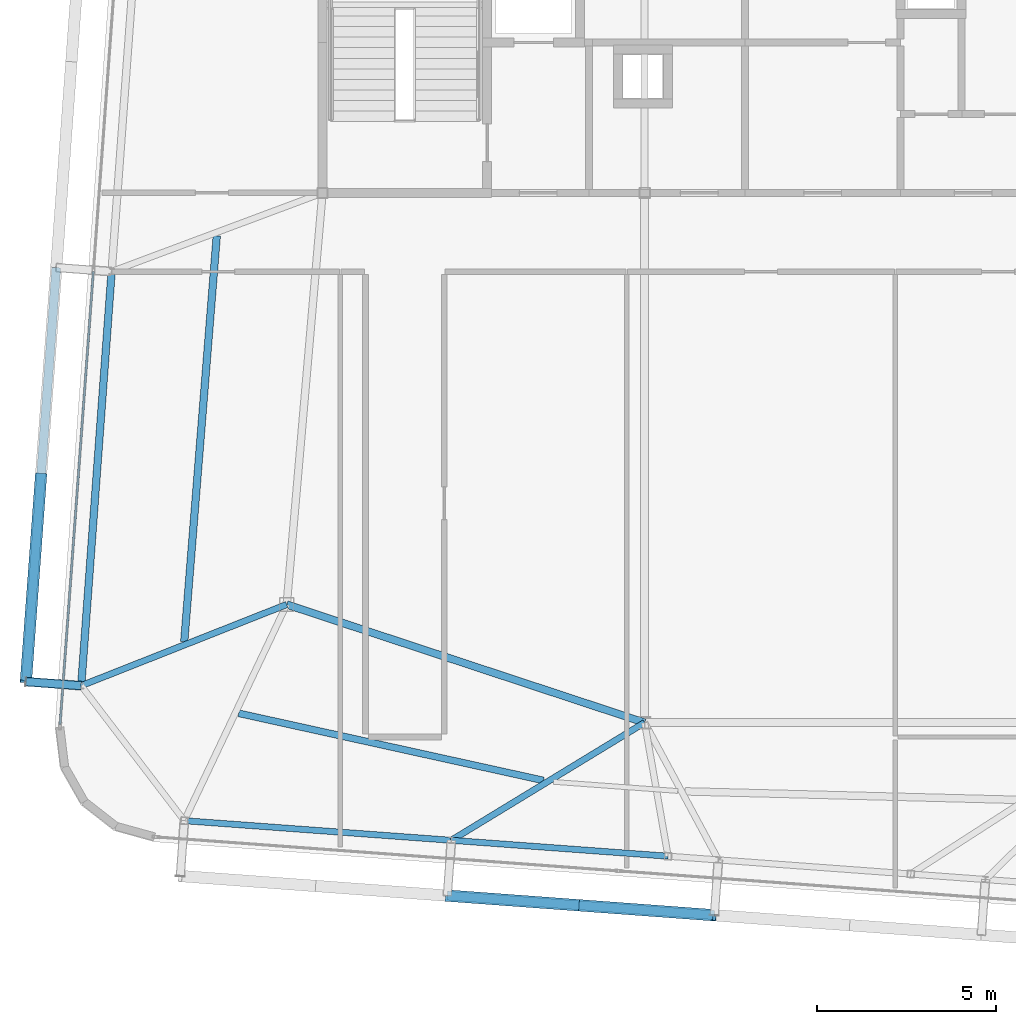
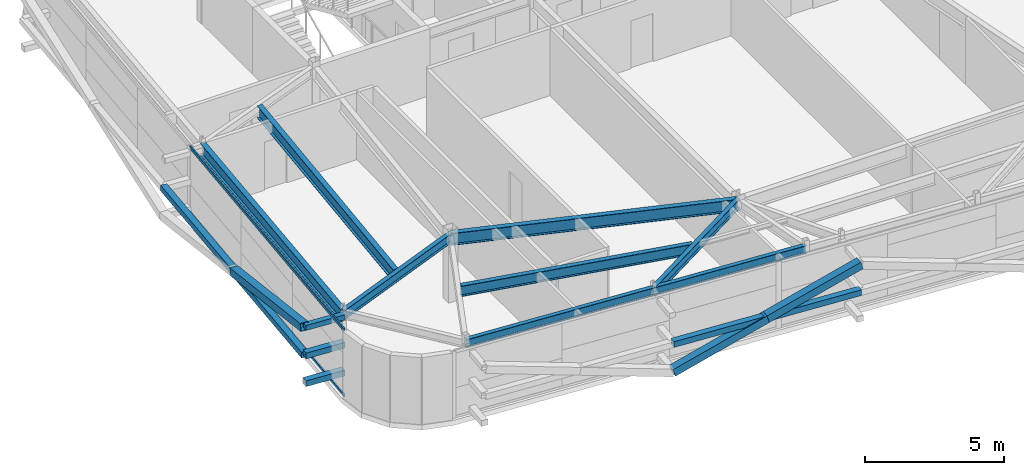
# One storey, part 10 of 34: 10 members, 8 beams, 1 element without a shape of its own.
"""IFC4 building model written with IfcOpenShell, lengths in metres."""

from ifc_helpers import new_model, si_unit, direction, frame, origin, origin_2d, place, context, subcontext, project, spatial, hollow_rectangle, i_section, extrude, source, transform, mapped, material, layer, layer_set, material_profile, profile_set, type_object, element, aggregate, save


model = new_model("IFC4")

# Units and contexts
model_context = context("Model", 3, precision=1e-05, world=origin(), true_north=direction((0.0, 1.0)))
body_context = subcontext(model_context, "Body", "Model", "MODEL_VIEW")
ifc_project = project(units=[si_unit("LENGTHUNIT", "METRE"), si_unit("AREAUNIT", "SQUARE_METRE"), si_unit("VOLUMEUNIT", "CUBIC_METRE"), si_unit("PLANEANGLEUNIT", "RADIAN"), si_unit("MASSUNIT", "GRAM", prefix="KILO")], contexts=[model_context])

# Site, building, storey
site_placement = place(None, origin())
site = spatial("IfcSite", under=ifc_project, at=site_placement, CompositionType="ELEMENT")
building_placement = place(site_placement, origin())
building = spatial("IfcBuilding", under=site, at=building_placement, Name="Taldren Reach Tower", CompositionType="ELEMENT")
storey_placement = place(building_placement, frame((0.0, 0.0, 246.050048828125)))
storey = spatial("IfcBuildingStorey", under=building, at=storey_placement, Name="L75", CompositionType="ELEMENT", Elevation=246.050048828125)

# Beams
ifc_material_1 = material(Name="Steel Gr 350 (350PLUS)", Category="steel")
ifc_material_profile_1 = material_profile(ifc_material_1, i_section(OverallWidth=0.208984375, OverallDepth=0.532958984375, WebThickness=0.01025390625, FlangeThickness=0.015625, at=origin_2d()), Name="530UB92.4")
ifc_profile_set_1 = profile_set([ifc_material_profile_1], Name="Steel Gr 350 (350PLUS)")
beam_type_1 = type_object("IfcBeamType", Name="BM-UB530A", PredefinedType="BEAM", material=ifc_profile_set_1)
shared_shape_1 = source(origin(), body_context, "Body", "SweptSolid", [
    extrude(i_section(OverallWidth=0.208984375, OverallDepth=0.532958984375, WebThickness=0.01025390625, FlangeThickness=0.015625, at=origin_2d()), origin(), (0.0, 0.0, 1.0), 10.530517578125),
])
beam_1_placement = place(storey_placement, frame((18.0, 12.5, 2.663330078125), z_axis=(0.949627269203, -0.313381635689, 0.0), x_axis=(0.313381635689, 0.949627269203, 0.0)))
element("IfcBeam", 1, at=beam_1_placement, inside=storey, type_object=beam_type_1, Name="Core-spine girder L75-SP10", PredefinedType="BEAM", context=body_context, shape_type="MappedRepresentation", body=[
    mapped(shared_shape_1, transform((0.0, 0.0, 0.0), scale=1.0)),
])
ifc_material_profile_2 = material_profile(ifc_material_1, i_section(OverallWidth=0.172119140625, OverallDepth=0.35888671875, WebThickness=0.008056640625, FlangeThickness=0.012939453125, at=origin_2d()), Name="360UB56.7")
ifc_profile_set_2 = profile_set([ifc_material_profile_2], Name="Steel Gr 350 (350PLUS)")
beam_type_2 = type_object("IfcBeamType", Name="SP-UB360", PredefinedType="SPANDREL", material=ifc_profile_set_2)
shared_shape_2 = source(origin(), body_context, "Body", "SweptSolid", [
    extrude(i_section(OverallWidth=0.172119140625, OverallDepth=0.35888671875, WebThickness=0.008056640625, FlangeThickness=0.012939453125, at=origin_2d()), origin(), (0.0, 0.0, 1.0), 7.47998046875),
])
beam_2_placement = place(storey_placement, frame((15.140625, 6.460205078125, 2.75048828125), z_axis=(0.997314220642, -0.07324169103, 0.0), x_axis=(0.07324169103, 0.997314220642, 0.0)))
element("IfcBeam", 2, at=beam_2_placement, inside=storey, type_object=beam_type_2, Name="Perimeter spandrel B5 S1-S2 L75", PredefinedType="SPANDREL", context=body_context, shape_type="MappedRepresentation", body=[
    mapped(shared_shape_2, transform((0.0, 0.0, 0.0), scale=1.0)),
])
shared_shape_3 = source(origin(), body_context, "Body", "SweptSolid", [
    extrude(i_section(OverallWidth=0.172119140625, OverallDepth=0.35888671875, WebThickness=0.008056640625, FlangeThickness=0.012939453125, at=origin_2d()), origin(), (0.0, 0.0, 1.0), 6.070068359375),
])
beam_3_placement = place(storey_placement, frame((22.6005859375, 5.912353515625, 2.75048828125), z_axis=(0.997314196413, -0.073242020958, 0.0), x_axis=(0.073242020958, 0.997314196413, 0.0)))
element("IfcBeam", 3, at=beam_3_placement, inside=storey, type_object=beam_type_2, Name="Perimeter spandrel B5 S2-PJ1 L75", PredefinedType="SPANDREL", context=body_context, shape_type="MappedRepresentation", body=[
    mapped(shared_shape_3, transform((0.0, 0.0, 0.0), scale=1.0)),
])
ifc_material_profile_3 = material_profile(ifc_material_1, i_section(OverallWidth=0.208984375, OverallDepth=0.528076171875, WebThickness=0.009521484375, FlangeThickness=0.01318359375, at=origin_2d()), Name="530UB82.0")
ifc_profile_set_3 = profile_set([ifc_material_profile_3], Name="Steel Gr 350 (350PLUS)")
beam_type_3 = type_object("IfcBeamType", Name="SP-UB530B", PredefinedType="SPANDREL", material=ifc_profile_set_3)
shared_shape_4 = source(origin(), body_context, "Body", "SweptSolid", [
    extrude(i_section(OverallWidth=0.208984375, OverallDepth=0.528076171875, WebThickness=0.009521484375, FlangeThickness=0.01318359375, at=origin_2d()), origin(), (0.0, 0.0, 1.0), 11.60009765625),
])
beam_4_placement = place(storey_placement, frame((13.108642578125, 21.80029296875, 2.666015625), z_axis=(-0.073242167855, -0.997314185625, 0.0), x_axis=(0.997314185625, -0.073242167855, 0.0)))
element("IfcBeam", 4, at=beam_4_placement, inside=storey, type_object=beam_type_3, Name="Perimeter spandrel B5 W2-W1 L75", PredefinedType="SPANDREL", context=body_context, shape_type="MappedRepresentation", body=[
    mapped(shared_shape_4, transform((0.0, 0.0, 0.0), scale=1.0)),
])
ifc_material_profile_4 = material_profile(ifc_material_1, i_section(OverallWidth=0.177978515625, OverallDepth=0.406005859375, WebThickness=0.0078125, FlangeThickness=0.0126953125, at=origin_2d()), Name="410UB59.7")
ifc_profile_set_4 = profile_set([ifc_material_profile_4], Name="Steel Gr 350 (350PLUS)")
beam_type_4 = type_object("IfcBeamType", Name="BM-UB410", PredefinedType="BEAM", material=ifc_profile_set_4)
shared_shape_5 = source(origin(), body_context, "Body", "SweptSolid", [
    extrude(i_section(OverallWidth=0.177978515625, OverallDepth=0.406005859375, WebThickness=0.0078125, FlangeThickness=0.0126953125, at=origin_2d()), origin(), (0.0, 0.0, 1.0), 6.321533203125),
])
beam_5_placement = place(storey_placement, frame((28.0, 9.199951171875, 2.72705078125), z_axis=(-0.854128445192, -0.520062110823, 0.0), x_axis=(0.520062110823, -0.854128445192, 0.0)))
element("IfcBeam", 5, at=beam_5_placement, inside=storey, type_object=beam_type_4, Name="Primary floor girder B5-S2 L75", PredefinedType="BEAM", context=body_context, shape_type="MappedRepresentation", body=[
    mapped(shared_shape_5, transform((0.0, 0.0, 0.0), scale=1.0)),
])
shared_shape_6 = source(origin(), body_context, "Body", "SweptSolid", [
    extrude(i_section(OverallWidth=0.177978515625, OverallDepth=0.406005859375, WebThickness=0.0078125, FlangeThickness=0.0126953125, at=origin_2d()), origin(), (0.0, 0.0, 1.0), 6.1728515625),
])
beam_6_placement = place(storey_placement, frame((18.0, 12.5, 2.72705078125), z_axis=(-0.930023287794, -0.367500590695, 0.0), x_axis=(0.367500590695, -0.930023287794, 0.0)))
element("IfcBeam", 6, at=beam_6_placement, inside=storey, type_object=beam_type_4, Name="Primary floor girder B5-W1 L75", PredefinedType="BEAM", context=body_context, shape_type="MappedRepresentation", body=[
    mapped(shared_shape_6, transform((0.0, 0.0, 0.0), scale=1.0)),
])
ifc_material_profile_5 = material_profile(ifc_material_1, i_section(OverallWidth=0.19091796875, OverallDepth=0.4599609375, WebThickness=0.010009765625, FlangeThickness=0.01611328125, at=origin_2d()), Name="460UB82.1")
ifc_profile_set_5 = profile_set([ifc_material_profile_5], Name="Steel Gr 350 (350PLUS)")
beam_type_5 = type_object("IfcBeamType", Name="BM-UB460A", PredefinedType="BEAM", material=ifc_profile_set_5)
shared_shape_7 = source(origin(), body_context, "Body", "SweptSolid", [
    extrude(i_section(OverallWidth=0.19091796875, OverallDepth=0.4599609375, WebThickness=0.010009765625, FlangeThickness=0.01611328125, at=origin_2d()), origin(), (0.0, 0.0, 1.0), 8.719482421875),
])
beam_7_placement = place(storey_placement, frame((16.659423828125, 9.46044921875, 2.699951171875), z_axis=(0.976568964704, -0.2152046867, 0.0), x_axis=(0.2152046867, 0.976568964704, 0.0)))
element("IfcBeam", 7, at=beam_7_placement, inside=storey, type_object=beam_type_5, Name="Secondary floor beam B5 J1 L75", PredefinedType="BEAM", context=body_context, shape_type="MappedRepresentation", body=[
    mapped(shared_shape_7, transform((0.0, 0.0, 0.0), scale=1.0)),
])
shared_shape_8 = source(origin(), body_context, "Body", "SweptSolid", [
    extrude(i_section(OverallWidth=0.208984375, OverallDepth=0.532958984375, WebThickness=0.01025390625, FlangeThickness=0.015625, at=origin_2d()), origin(), (0.0, 0.0, 1.0), 11.3740234375),
])
beam_8_placement = place(storey_placement, frame((15.137451171875, 11.464599609375, 2.663330078125), z_axis=(0.079913287803, 0.996801819036, 0.0), x_axis=(-0.996801819036, 0.079913287803, 0.0)))
element("IfcBeam", 8, at=beam_8_placement, inside=storey, type_object=beam_type_1, Name="Secondary floor beam B5 J6 L75", PredefinedType="BEAM", context=body_context, shape_type="MappedRepresentation", body=[
    mapped(shared_shape_8, transform((0.0, 0.0, 0.0), scale=1.0)),
])

# Members
ifc_material_2 = material(Name="Steel Gr 450 (C450L0)", Category="steel")
ifc_material_profile_6 = material_profile(ifc_material_2, hollow_rectangle(XDim=0.219970703125, YDim=0.219970703125, WallThickness=0.00830078125, at=origin_2d()), Name="220x220x8.2SHS")
ifc_profile_set_6 = profile_set([ifc_material_profile_6], Name="Steel Gr 450 (C450L0)")
member_type_1 = type_object("IfcMemberType", Name="MB-TIE219", PredefinedType="STRUT", material=ifc_profile_set_6)
shared_shape_9 = source(origin(), body_context, "Body", "SweptSolid", [
    extrude(hollow_rectangle(XDim=0.219970703125, YDim=0.219970703125, WallThickness=0.00830078125, at=origin_2d()), origin(), (0.0, 0.0, 1.0), 1.5458984375),
])
member_1_placement = place(storey_placement, frame((12.255126953125, 10.231689453125, 2.64990234375), z_axis=(-0.997311530447, 0.073278313559, 0.0), x_axis=(-0.073278313559, -0.997311530447, 0.0)))
element("IfcMember", 9, at=member_1_placement, inside=storey, type_object=member_type_1, Name="Exoskeleton diaphragm tie strut B5-W1 L75", PredefinedType="STRUT", context=body_context, shape_type="MappedRepresentation", body=[
    mapped(shared_shape_9, transform((0.0, 0.0, 0.0), scale=1.0)),
])
ifc_material_profile_7 = material_profile(ifc_material_2, hollow_rectangle(XDim=0.324951171875, YDim=0.324951171875, WallThickness=0.0126953125, at=origin_2d()), Name="325x325x12.7SHS")
ifc_profile_set_7 = profile_set([ifc_material_profile_7], Name="Steel Gr 450 (C450L0)")
member_type_2 = type_object("IfcMemberType", Name="MB-BR324", PredefinedType="BRACE", material=ifc_profile_set_7)
shared_shape_10 = source(origin(), body_context, "Body", "SweptSolid", [
    extrude(hollow_rectangle(XDim=0.324951171875, YDim=0.324951171875, WallThickness=0.0126953125, at=origin_2d()), origin(), (0.0, 0.0, 1.0), 3.932373046875),
])
for number, where, z_axis, x_axis, name in (
    (10, (22.487060546875, 4.36669921875, 0.219970703125), (0.948511132845, -0.069657644394, 0.308989390507), (0.07324169103, 0.997314220642, 0.0), "Exoskeleton Diagrid Brace B5-S2 L75"),
    (11, (26.217041015625, 4.0927734375, 1.43505859375), (0.948529326954, -0.06965898055, 0.308933232813), (0.07324169103, 0.997314220642, 0.0), "Exoskeleton Diagrid Brace B5-S2 L75"),
):
    element("IfcMember", number, at=place(storey_placement, frame(where, z_axis=z_axis, x_axis=x_axis)), inside=storey, type_object=member_type_2, Name=name, PredefinedType="BRACE", context=body_context, shape_type="MappedRepresentation", body=[
        mapped(shared_shape_10, transform((0.0, 0.0, 0.0), scale=1.0)),
    ])
ifc_material_3 = material(Name="Steel Gr 350 (C350L0)", Category="steel")
ifc_material_profile_8 = material_profile(ifc_material_3, hollow_rectangle(XDim=0.25, YDim=0.25, WallThickness=0.010009765625, at=origin_2d()), Name="250x250x10.0SHS")
ifc_profile_set_8 = profile_set([ifc_material_profile_8], Name="Steel Gr 350 (C350L0)")
member_type_3 = type_object("IfcMemberType", Name="MB-POST250", PredefinedType="POST", material=ifc_profile_set_8)
shared_shape_11 = source(origin(), body_context, "Body", "SweptSolid", [
    extrude(hollow_rectangle(XDim=0.25, YDim=0.25, WallThickness=0.010009765625, at=origin_2d()), origin(), (0.0, 0.0, 1.0), 7.47998046875),
])
member_2_placement = place(storey_placement, frame((22.487060546875, 4.36669921875, 1.43505859375), z_axis=(0.997314220642, -0.07324169103, 0.0), x_axis=(0.07324169103, 0.997314220642, 0.0)))
element("IfcMember", 12, at=member_2_placement, inside=storey, type_object=member_type_3, Name="Exoskeleton mid-height ring chord B5-S2 L75", PredefinedType="POST", context=body_context, shape_type="MappedRepresentation", body=[
    mapped(shared_shape_11, transform((0.0, 0.0, 0.0), scale=1.0)),
])
shared_shape_12 = source(origin(), body_context, "Body", "SweptSolid", [
    extrude(hollow_rectangle(XDim=0.324951171875, YDim=0.324951171875, WallThickness=0.0126953125, at=origin_2d()), origin(), (0.0, 0.0, 1.0), 5.92578125),
])
member_3_placement = place(storey_placement, frame((11.137939453125, 16.12939453125, 1.43505859375), z_axis=(-0.071645553297, -0.976134614303, 0.205007632667), x_axis=(0.997317259472, -0.073200300267, 0.0)))
element("IfcMember", 13, at=member_3_placement, inside=storey, type_object=member_type_2, Name="Exoskeleton Diagrid Brace B5-W1 L75", PredefinedType="BRACE", context=body_context, shape_type="MappedRepresentation", body=[
    mapped(shared_shape_12, transform((0.0, 0.0, 0.0), scale=1.0)),
])
shared_shape_13 = source(origin(), body_context, "Body", "SweptSolid", [
    extrude(hollow_rectangle(XDim=0.25, YDim=0.25, WallThickness=0.010009765625, at=origin_2d()), origin(), (0.0, 0.0, 1.0), 11.60009765625),
])
member_4_placement = place(storey_placement, frame((10.71337890625, 10.344970703125, 1.43505859375), z_axis=(0.073221234109, 0.997315722766, 0.0), x_axis=(-0.997315722766, 0.073221234109, 0.0)))
element("IfcMember", 14, at=member_4_placement, inside=storey, type_object=member_type_3, Name="Exoskeleton mid-height ring chord B5-W1 L75", PredefinedType="POST", context=body_context, shape_type="MappedRepresentation", body=[
    mapped(shared_shape_13, transform((0.0, 0.0, 0.0), scale=1.0)),
])
shared_shape_14 = source(origin(), body_context, "Body", "SweptSolid", [
    extrude(hollow_rectangle(XDim=0.25, YDim=0.25, WallThickness=0.010009765625, at=origin_2d()), origin(), (0.0, 0.0, 1.0), 1.5458984375),
])
for number, where, z_axis, x_axis, name in (
    (15, (12.255126953125, 10.231689453125, 0.219970703125), (-0.997311530447, 0.073278313559, 0.0), (-0.073278313559, -0.997311530447, 0.0), "Exoskeleton base diaphragm tie strut B5-W1 L75"),
    (16, (12.255126953125, 10.231689453125, 1.43505859375), (-0.997311530447, 0.073278313559, 0.0), (-0.073278313559, -0.997311530447, 0.0), "Exoskeleton mid-tier diaphragm tie B5-W1 L75"),
):
    element("IfcMember", number, at=place(storey_placement, frame(where, z_axis=z_axis, x_axis=x_axis)), inside=storey, type_object=member_type_3, Name=name, PredefinedType="POST", context=body_context, shape_type="MappedRepresentation", body=[
        mapped(shared_shape_14, transform((0.0, 0.0, 0.0), scale=1.0)),
    ])

# Curtain wall, members
ifc_material_4 = material(Name="Aluminium and Low-E Glass Unitised System", Category="aluminium")
ifc_layer = layer(ifc_material_4, 0.159912109375)
ifc_layer_set = layer_set([ifc_layer], Name="Aluminium and Low-E Glass Unitised System")
curtain_wall_type = type_object("IfcCurtainWallType", Name="CW-SYS-6", PredefinedType="NOTDEFINED", material=ifc_layer_set)
curtain_wall_placement = place(storey_placement, origin())
curtain_wall = element("IfcCurtainWall", 17, at=curtain_wall_placement, inside=storey, type_object=curtain_wall_type, Name="Unitised curtain wall CW-L75-W", PredefinedType="NOTDEFINED")
ifc_material_5 = material(Name="Anodised Aluminium 6063-T6", Category="aluminium")
ifc_material_profile_9 = material_profile(ifc_material_5, hollow_rectangle(XDim=0.06005859375, YDim=0.135009765625, WallThickness=0.00341796875, at=origin_2d()), Name="ALU-135x60x3.5RHS")
ifc_profile_set_9 = profile_set([ifc_material_profile_9], Name="Anodised Aluminium 6063-T6")
member_type_4 = type_object("IfcMemberType", Name="CW-TRN-150", PredefinedType="USERDEFINED", material=ifc_profile_set_9)
shared_shape_15 = source(origin(), body_context, "Body", "SweptSolid", [
    extrude(hollow_rectangle(XDim=0.06005859375, YDim=0.135009765625, WallThickness=0.00341796875, at=origin_2d()), origin(), (0.0, 0.0, 1.0), 12.687744140625),
])
member_5_placement = place(storey_placement, frame((12.597412109375, 21.80029296875, 0.030029296875), z_axis=(-0.073236592425, -0.997314595065, 0.0), x_axis=(0.997314595065, -0.073236592425, 0.0)))
member_5 = element("IfcMember", 18, at=member_5_placement, type_object=member_type_4, Name="CW-6 transom 2.1", ObjectType="TRANSOM", PredefinedType="USERDEFINED", context=body_context, shape_type="MappedRepresentation", body=[
    mapped(shared_shape_15, transform((0.0, 0.0, 0.0), scale=1.0)),
])
member_6_placement = place(storey_placement, frame((12.597412109375, 21.80029296875, 2.89990234375), z_axis=(-0.073236592425, -0.997314595065, 0.0), x_axis=(0.997314595065, -0.073236592425, 0.0)))
member_6 = element("IfcMember", 19, at=member_6_placement, type_object=member_type_4, Name="CW-6 transom 2.2", ObjectType="TRANSOM", PredefinedType="USERDEFINED", context=body_context, shape_type="MappedRepresentation", body=[
    mapped(shared_shape_15, transform((0.0, 0.0, 0.0), scale=1.0)),
])
aggregate(curtain_wall, [member_5, member_6])

save(model, "model.ifc")
